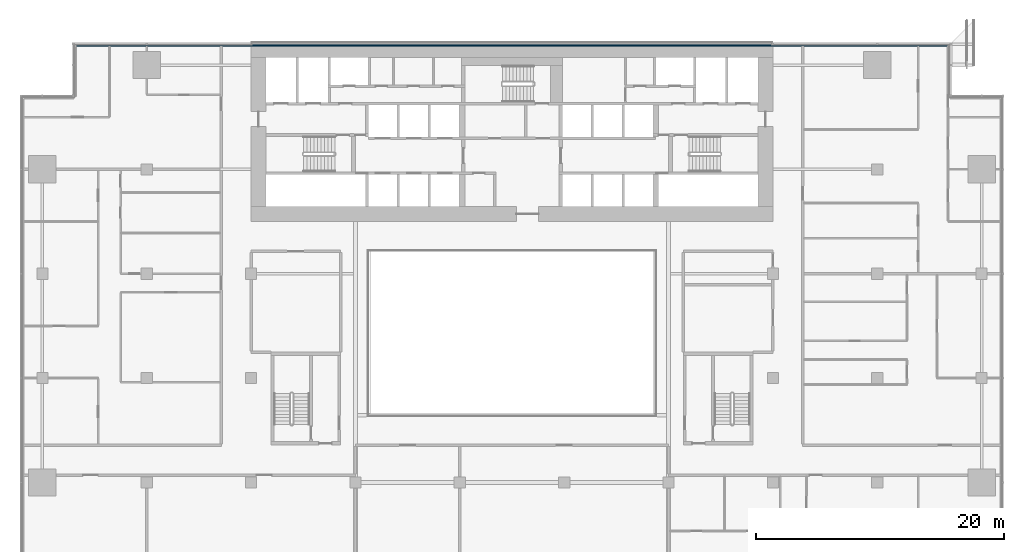
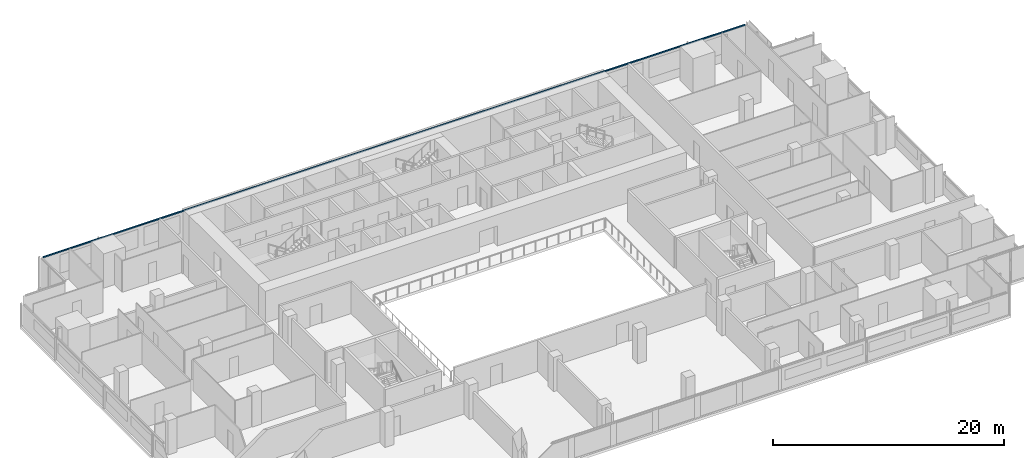
# One storey, part 10 of 25: 1 member, 1 element without a shape of its own.
"""IFC4 building model written with IfcOpenShell, lengths in metres."""

from ifc_helpers import new_model, si_unit, direction, frame, origin, origin_2d, place, context, subcontext, project, spatial, rectangle, extrude, material, material_profile, profile_set, type_object, element, aggregate, save


model = new_model("IFC4")

# Units and contexts
model_context = context("Model", 3, precision=1e-05, world=origin(), true_north=direction((0.0, 1.0)))
body_context = subcontext(model_context, "Body", "Model", "MODEL_VIEW")
ifc_project = project(units=[si_unit("LENGTHUNIT", "METRE"), si_unit("AREAUNIT", "SQUARE_METRE"), si_unit("VOLUMEUNIT", "CUBIC_METRE"), si_unit("PLANEANGLEUNIT", "RADIAN"), si_unit("MASSUNIT", "GRAM", prefix="KILO")], contexts=[model_context])

# Site, building, storey
site_placement = place(None, origin())
site = spatial("IfcSite", under=ifc_project, at=site_placement, CompositionType="ELEMENT")
building_placement = place(site_placement, origin())
building = spatial("IfcBuilding", under=site, at=building_placement, Name="Saffron Gate Tower", CompositionType="ELEMENT")
storey_placement = place(building_placement, frame((0.0, 0.0, 80.39990234375)))
storey = spatial("IfcBuildingStorey", under=building, at=storey_placement, Name="L19", CompositionType="ELEMENT", Elevation=80.39990234375)

# Curtain wall, member
ifc_material = material(Name="Aluminium, bronze anodised", Category="aluminium")
curtain_wall_type = type_object("IfcCurtainWallType", Name="CWS3 curtain wall rear facade", PredefinedType="NOTDEFINED", material=ifc_material)
curtain_wall_placement = place(storey_placement, origin())
curtain_wall = element("IfcCurtainWall", 1, at=curtain_wall_placement, inside=storey, type_object=curtain_wall_type, Name="CWS3 run 7", PredefinedType="NOTDEFINED")
ifc_material_profile = material_profile(ifc_material, rectangle(XDim=0.1201171875, YDim=0.1201171875, at=origin_2d()))
ifc_profile_set = profile_set([ifc_material_profile], Name="Aluminium, bronze anodised")
member_type = type_object("IfcMemberType", Name="CWS3 head transom", PredefinedType="USERDEFINED", material=ifc_profile_set)
member_placement = place(storey_placement, frame((122.632080078125, 75.35205078125, 3.239990234375), z_axis=(-1.0, 0.0, 0.0), x_axis=(0.0, -1.0, 0.0)))
member = element("IfcMember", 2, at=member_placement, type_object=member_type, Name="CWS3 head transom", ObjectType="TRANSOM", PredefinedType="USERDEFINED", context=body_context, shape_type="SweptSolid", body=[
    extrude(rectangle(XDim=0.1201171875, YDim=0.1201171875, at=origin_2d()), origin(), (0.0, 0.0, 1.0), 70.06396484375),
])
aggregate(curtain_wall, [member])

save(model, "model.ifc")
